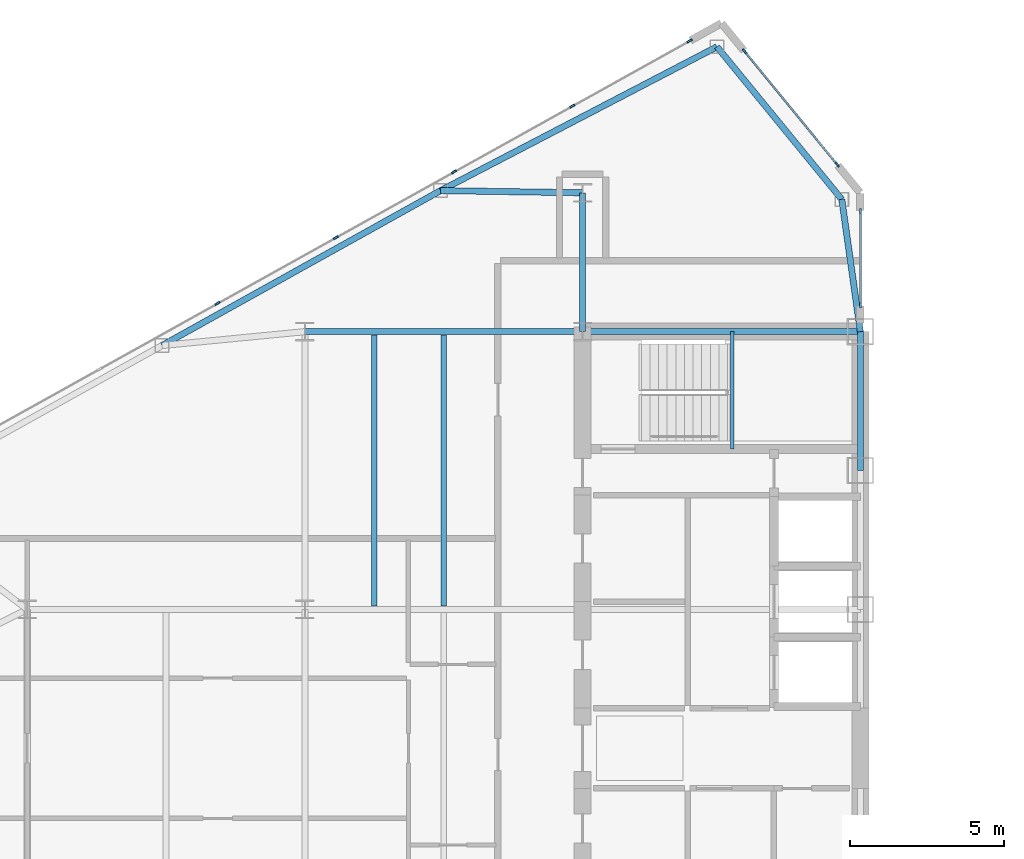
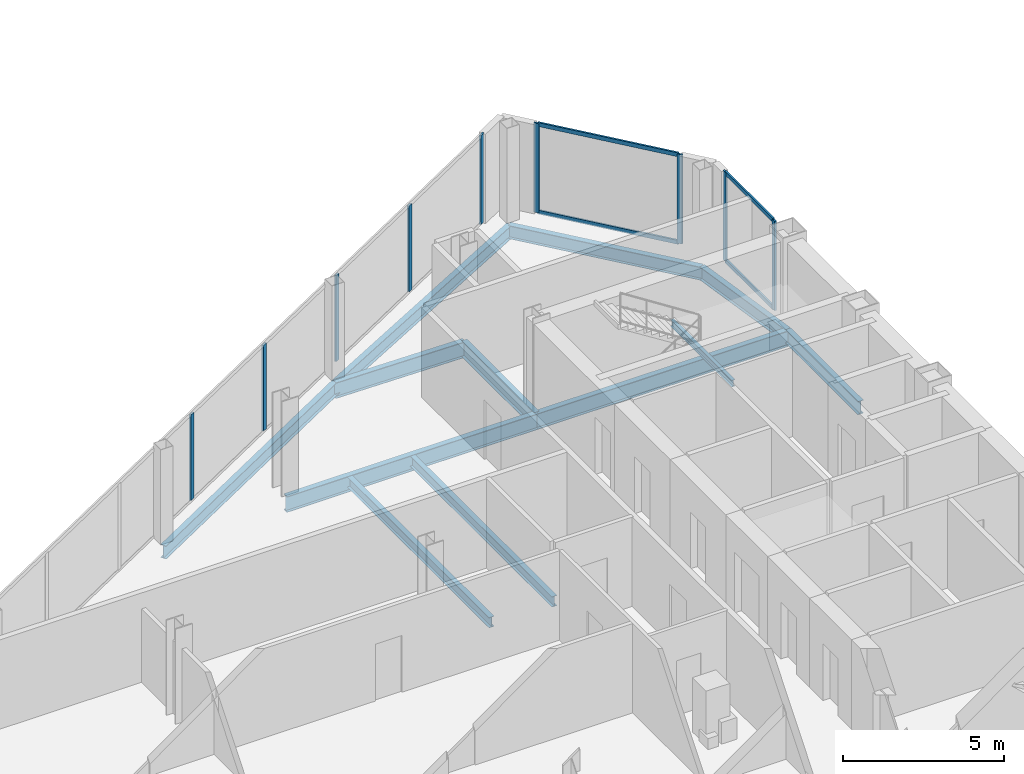
# One storey, part 10 of 26: 13 members, 12 beams, 3 elements without a shape of their own.
"""IFC4 building model written with IfcOpenShell, lengths in metres."""

import ifcopenshell
import ifcopenshell.guid

model = None  # the IFC model being written
_history = None  # IfcOwnerHistory: only IFC2X3 demands one
_inside = {}  # id of a spatial element -> (the spatial element, [elements in it])
_under = {}  # id of a project, library or spatial element -> (it, [spatial elements below it])
_declared = {}  # id of a project -> (the project, [libraries it declares])
_typed = {}  # id of a type object -> (the type object, [elements of that type])
_made_of = {}  # id of a material, layer set ... -> (it, [elements and type objects made of it])


def new_model(schema):
    """Start an empty IFC model of exactly this schema.

    Asked for "IFC4X3", IfcOpenShell would pick the latest addendum, in which some entities
    have other attributes; the version numbers below select the first issue.
    IFC2X3 requires an IfcOwnerHistory on every rooted entity: one is made here for all.
    """
    global model, _history
    if schema == "IFC4X3":
        model = ifcopenshell.file(schema_version=(4, 3, 0, 0))
    else:
        model = ifcopenshell.file(schema=schema)
    _inside.clear()
    _under.clear()
    _declared.clear()
    _typed.clear()
    _made_of.clear()
    _history = None
    if model.schema == "IFC2X3":
        org = make("IfcOrganization", Name="unknown")
        user = make(
            "IfcPersonAndOrganization",
            ThePerson=make("IfcPerson", FamilyName="unknown"),
            TheOrganization=org,
        )
        app = make(
            "IfcApplication",
            ApplicationDeveloper=org,
            Version="unknown",
            ApplicationFullName="unknown",
            ApplicationIdentifier="unknown",
        )
        _history = make(
            "IfcOwnerHistory",
            OwningUser=user,
            OwningApplication=app,
            ChangeAction="ADDED",
            CreationDate=0,
        )
    return model


def make(cls, **values):
    """One entity of the class cls with the attributes given. An attribute that is None is left unset."""
    return model.create_entity(
        cls, **{name: value for name, value in values.items() if value is not None}
    )


def rooted(cls, **values):
    """An entity with a GlobalId (a new one), such as an element, a storey or a relation."""
    return make(cls, GlobalId=ifcopenshell.guid.new(), OwnerHistory=_history, **values)


def si_unit(unit_type, name, prefix=None):
    """IfcSIUnit, for example si_unit("LENGTHUNIT", "METRE", prefix="MILLI")."""
    return make("IfcSIUnit", UnitType=unit_type, Prefix=prefix, Name=name)


def assignment(units):
    """IfcUnitAssignment: the units of a project."""
    return None if units is None else make("IfcUnitAssignment", Units=units)


def point(xyz):
    """IfcCartesianPoint."""
    return None if xyz is None else make("IfcCartesianPoint", Coordinates=xyz)


def direction(xyz):
    """IfcDirection."""
    return None if xyz is None else make("IfcDirection", DirectionRatios=xyz)


def frame(location, z_axis=None, x_axis=None):
    """IfcAxis2Placement3D, a coordinate frame: its origin and axes. An axis left out is left unset."""
    return make(
        "IfcAxis2Placement3D",
        Location=point(location),
        Axis=direction(z_axis),
        RefDirection=direction(x_axis),
    )


def frame_2d(location, x_axis=None):
    """IfcAxis2Placement2D, a coordinate frame in the plane: its origin and x axis."""
    return make(
        "IfcAxis2Placement2D", Location=point(location), RefDirection=direction(x_axis)
    )


def origin():
    """The frame at (0, 0, 0) with its axes left unset."""
    return frame((0.0, 0.0, 0.0))


def origin_2d():
    """The frame at (0, 0) in the plane with its x axis left unset."""
    return frame_2d((0.0, 0.0))


def place(relative_to, where):
    """IfcLocalPlacement: puts the frame where relative to a parent placement (None: the world)."""
    return make(
        "IfcLocalPlacement", PlacementRelTo=relative_to, RelativePlacement=where
    )


def context(
    kind, dimensions, precision=None, world=None, true_north=None, identifier=None
):
    """IfcGeometricRepresentationContext, for example the 3D "Model" context."""
    return make(
        "IfcGeometricRepresentationContext",
        ContextIdentifier=identifier,
        ContextType=kind,
        CoordinateSpaceDimension=dimensions,
        Precision=precision,
        WorldCoordinateSystem=world,
        TrueNorth=true_north,
    )


def subcontext(parent, identifier, kind, view, scale=None):
    """IfcGeometricRepresentationSubContext, for example "Body" below "Model"."""
    return make(
        "IfcGeometricRepresentationSubContext",
        ContextIdentifier=identifier,
        ContextType=kind,
        ParentContext=parent,
        TargetScale=scale,
        TargetView=view,
    )


def project(units=None, contexts=None):
    """IfcProject with its units and contexts."""
    return rooted(
        "IfcProject",
        Name="project",
        RepresentationContexts=contexts,
        UnitsInContext=assignment(units),
    )


def spatial(cls, under=None, at=None, **own):
    """A site, building, storey or space (cls), placed at a placement, below another one or the project."""
    s = rooted(cls, ObjectPlacement=at, **own)
    if under is not None:
        _under.setdefault(under.id(), (under, []))[1].append(s)
    return s


def profile(cls, at=None, kind="AREA", **sizes):
    """A parametric profile (cls). Its sizes go by their IFC names, for example OverallWidth=200.0."""
    return make(cls, ProfileType=kind, Position=at, **sizes)


def rectangle(**sizes):
    """IfcRectangleProfileDef."""
    return profile("IfcRectangleProfileDef", **sizes)


def i_section(**sizes):
    """IfcIShapeProfileDef."""
    return profile("IfcIShapeProfileDef", **sizes)


def extrude(swept, where, along, depth):
    """IfcExtrudedAreaSolid: the profile swept, set in the frame where, extruded along a direction by depth."""
    return make(
        "IfcExtrudedAreaSolid",
        SweptArea=swept,
        Position=where,
        ExtrudedDirection=direction(along),
        Depth=depth,
    )


def shape(context_of_items, identifier, shape_type, items):
    """IfcShapeRepresentation: the items that make up one representation, for example the "Body"."""
    return make(
        "IfcShapeRepresentation",
        ContextOfItems=context_of_items,
        RepresentationIdentifier=identifier,
        RepresentationType=shape_type,
        Items=items,
    )


def source(mapping_origin, context_of_items, identifier, shape_type, items):
    """IfcRepresentationMap: a shape defined once, which mapped items show again and again."""
    return make(
        "IfcRepresentationMap",
        MappingOrigin=mapping_origin,
        MappedRepresentation=shape(context_of_items, identifier, shape_type, items),
    )


def transform(
    local_origin,
    x_axis=None,
    y_axis=None,
    z_axis=None,
    scale=None,
    scale2=None,
    scale3=None,
    uniform=True,
):
    """IfcCartesianTransformationOperator3D, or its non-uniform kind. x_axis, y_axis, z_axis: its Axis1, 2, 3."""
    if uniform:
        return make(
            "IfcCartesianTransformationOperator3D",
            Axis1=direction(x_axis),
            Axis2=direction(y_axis),
            LocalOrigin=point(local_origin),
            Scale=scale,
            Axis3=direction(z_axis),
        )
    return make(
        "IfcCartesianTransformationOperator3DnonUniform",
        Axis1=direction(x_axis),
        Axis2=direction(y_axis),
        LocalOrigin=point(local_origin),
        Scale=scale,
        Axis3=direction(z_axis),
        Scale2=scale2,
        Scale3=scale3,
    )


def mapped(mapping_source, mapping_target):
    """IfcMappedItem: shows the shape of a source again, moved by a transform."""
    return make(
        "IfcMappedItem", MappingSource=mapping_source, MappingTarget=mapping_target
    )


def material(Name=None, Category=None):
    """IfcMaterial."""
    return make("IfcMaterial", Name=Name, Category=Category)


def layer(
    of_material, thickness, ventilated=None, Name=None, Category=None, Priority=None
):
    """IfcMaterialLayer: one layer of a wall or slab, of a material (None: an air gap)."""
    return make(
        "IfcMaterialLayer",
        Material=of_material,
        LayerThickness=thickness,
        IsVentilated=ventilated,
        Name=Name,
        Category=Category,
        Priority=Priority,
    )


def layer_set(layers, Name=None):
    """IfcMaterialLayerSet."""
    return make("IfcMaterialLayerSet", MaterialLayers=layers, LayerSetName=Name)


def material_profile(
    of_material, cross_section, Name=None, Category=None, Priority=None
):
    """IfcMaterialProfile: a cross section and its material."""
    return make(
        "IfcMaterialProfile",
        Name=Name,
        Material=of_material,
        Profile=cross_section,
        Priority=Priority,
        Category=Category,
    )


def profile_set(profiles, Name=None, composite=None):
    """IfcMaterialProfileSet."""
    return make(
        "IfcMaterialProfileSet",
        Name=Name,
        MaterialProfiles=profiles,
        CompositeProfile=composite,
    )


def made_of(thing, what):
    """Note that an element or type object is made of a material, layer set ...; save() writes the relation."""
    if what is not None:
        _made_of.setdefault(what.id(), (what, []))[1].append(thing)
    return thing


def type_object(cls, material=None, **own):
    """A type object (cls), such as IfcWallType, which elements share."""
    return made_of(rooted(cls, **own), material)


def type_shapes(of_type, sources):
    """Give a type object the sources (RepresentationMaps) that its elements show as mapped items."""
    of_type.RepresentationMaps = sources


def element(
    cls,
    number,
    at=None,
    inside=None,
    cuts=None,
    type_object=None,
    material=None,
    context=None,
    identifier="Body",
    shape_type=None,
    held_by="IfcProductDefinitionShape",
    body=None,
    shapes=None,
    **own,
):
    """One element of the class cls, such as IfcWall. Its Tag is "e" and its number.

    at: its placement. inside: the storey or other place that contains it. cuts: it is an
    opening in that element (IfcRelVoidsElement). A single representation is given by context,
    identifier, shape_type and body (its items); several are given by shapes. held_by: the class
    of the entity that holds the representations. save() writes the other relations.
    """
    e = rooted(cls, Tag="e%d" % number, ObjectPlacement=at, **own)
    if body is not None:
        shapes = [shape(context, identifier, shape_type, body)]
    if shapes is not None:
        e.Representation = make(held_by, Representations=shapes)
    if inside is not None:
        _inside.setdefault(inside.id(), (inside, []))[1].append(e)
    if cuts is not None:
        rooted(
            "IfcRelVoidsElement", RelatingBuildingElement=cuts, RelatedOpeningElement=e
        )
    if type_object is not None:
        _typed.setdefault(type_object.id(), (type_object, []))[1].append(e)
    return made_of(e, material)


def aggregate(whole, parts):
    """IfcRelAggregates: a whole, such as a stair, and the parts it consists of."""
    return rooted("IfcRelAggregates", RelatingObject=whole, RelatedObjects=parts)


def save(model, path):
    """Write the relations noted so far, then the file.

    IfcRelAggregates (storeys below a building ...), IfcRelContainedInSpatialStructure (elements
    in a storey), IfcRelDefinesByType, IfcRelAssociatesMaterial and IfcRelDeclares: one each for
    every whole, place, type object, material and project.
    """
    for whole, parts in _under.values():
        aggregate(whole, parts)
    for where, things in _inside.values():
        rooted(
            "IfcRelContainedInSpatialStructure",
            RelatedElements=things,
            RelatingStructure=where,
        )
    for kind, things in _typed.values():
        rooted("IfcRelDefinesByType", RelatedObjects=things, RelatingType=kind)
    for what, things in _made_of.values():
        rooted("IfcRelAssociatesMaterial", RelatedObjects=things, RelatingMaterial=what)
    for by, libraries in _declared.values():
        rooted("IfcRelDeclares", RelatingContext=by, RelatedDefinitions=libraries)
    model.write(path)


model = new_model("IFC4")

# Units and contexts
model_context = context("Model", 3, precision=1e-05, world=origin(), true_north=direction((0.0, 1.0)))
body_context = subcontext(model_context, "Body", "Model", "MODEL_VIEW")
ifc_project = project(units=[si_unit("LENGTHUNIT", "METRE"), si_unit("AREAUNIT", "SQUARE_METRE"), si_unit("VOLUMEUNIT", "CUBIC_METRE"), si_unit("PLANEANGLEUNIT", "RADIAN"), si_unit("MASSUNIT", "GRAM", prefix="KILO")], contexts=[model_context])

# Site, building, storey
site_placement = place(None, origin())
site = spatial("IfcSite", under=ifc_project, at=site_placement, CompositionType="ELEMENT")
building_placement = place(site_placement, origin())
building = spatial("IfcBuilding", under=site, at=building_placement, Name="Seokmaru Belvedere", CompositionType="ELEMENT")
storey_placement = place(building_placement, frame((0.0, 0.0, 192.300048828125)))
storey = spatial("IfcBuildingStorey", under=building, at=storey_placement, Name="L51", CompositionType="ELEMENT", Elevation=192.300048828125)

# Beams
ifc_material_1 = material(Name="Steel SM355 (355 MPa)", Category="steel")
ifc_material_profile_1 = material_profile(ifc_material_1, i_section(OverallWidth=0.199951171875, OverallDepth=0.5, WebThickness=0.010009765625, FlangeThickness=0.01611328125, at=origin_2d()), Name="H-500x200x10x16")
ifc_profile_set_1 = profile_set([ifc_material_profile_1], Name="Steel SM355 (355 MPa)")
beam_type_1 = type_object("IfcBeamType", Name="Perimeter Spandrel Beam H-500", PredefinedType="SPANDREL", material=ifc_profile_set_1)
shared_shape_1 = source(origin(), body_context, "Body", "SweptSolid", [
    extrude(i_section(OverallWidth=0.199951171875, OverallDepth=0.5, WebThickness=0.010009765625, FlangeThickness=0.01611328125, at=origin_2d()), origin(), (0.0, 0.0, 1.0), 4.5),
])
beam_1_placement = place(storey_placement, frame((-27.5, 9.0, -0.469970703125), z_axis=(0.0, 1.0, 0.0), x_axis=(-1.0, 0.0, 0.0)))
element("IfcBeam", 1, at=beam_1_placement, inside=storey, type_object=beam_type_1, Name="L51 W Portal Spine Spandrel 5", PredefinedType="SPANDREL", context=body_context, shape_type="MappedRepresentation", body=[
    mapped(shared_shape_1, transform((0.0, 0.0, 0.0), scale=1.0)),
])
ifc_material_profile_2 = material_profile(ifc_material_1, i_section(OverallWidth=0.199951171875, OverallDepth=0.60009765625, WebThickness=0.010986328125, FlangeThickness=0.01708984375, at=origin_2d()), Name="H-600x200x11x17")
ifc_profile_set_2 = profile_set([ifc_material_profile_2], Name="Steel SM355 (355 MPa)")
beam_type_2 = type_object("IfcBeamType", Name="Primary Floor Girder H-600", PredefinedType="BEAM", material=ifc_profile_set_2)
shared_shape_2 = source(origin(), body_context, "Body", "SweptSolid", [
    extrude(i_section(OverallWidth=0.199951171875, OverallDepth=0.60009765625, WebThickness=0.010986328125, FlangeThickness=0.01708984375, at=origin_2d()), origin(), (0.0, 0.0, 1.0), 9.0),
])
for number, where, z_axis, x_axis, name in (
    (2, (-36.5, 13.5, -0.52001953125), (1.0, 0.0, 0.0), (0.0, 1.0, 0.0), "L51 W Core Tie Girder 4"),
    (3, (-45.5, 13.5, -0.52001953125), (1.0, 0.0, 0.0), (0.0, 1.0, 0.0), "L51 W Wing Primary Girder 4"),
):
    element("IfcBeam", number, at=place(storey_placement, frame(where, z_axis=z_axis, x_axis=x_axis)), inside=storey, type_object=beam_type_2, Name=name, PredefinedType="BEAM", context=body_context, shape_type="MappedRepresentation", body=[
        mapped(shared_shape_2, transform((0.0, 0.0, 0.0), scale=1.0)),
    ])
ifc_material_profile_3 = material_profile(ifc_material_1, i_section(OverallWidth=0.18505859375, OverallDepth=0.389892578125, WebThickness=0.008056640625, FlangeThickness=0.011962890625, at=origin_2d()), Name="H-390x185x8x12")
ifc_profile_set_3 = profile_set([ifc_material_profile_3], Name="Steel SM355 (355 MPa)")
beam_type_3 = type_object("IfcBeamType", Name="Secondary Floor Joist H-350", PredefinedType="JOIST", material=ifc_profile_set_3)
shared_shape_3 = source(origin(), body_context, "Body", "SweptSolid", [
    extrude(i_section(OverallWidth=0.18505859375, OverallDepth=0.389892578125, WebThickness=0.008056640625, FlangeThickness=0.011962890625, at=origin_2d()), origin(), (0.0, 0.0, 1.0), 8.7900390625),
])
type_shapes(beam_type_3, [shared_shape_3])
for number, where, z_axis, x_axis, name in (
    (4, (-43.25, 4.60498046875, -0.4150390625), (0.0, 1.0, 0.0), (-1.0, 0.0, 0.0), "L51 W Wing Inner Secondary Joist 2"),
    (5, (-41.0, 4.60498046875, -0.4150390625), (0.0, 1.0, 0.0), (-1.0, 0.0, 0.0), "L51 W Secondary Floor Joist 3"),
):
    element("IfcBeam", number, at=place(storey_placement, frame(where, z_axis=z_axis, x_axis=x_axis)), inside=storey, type_object=beam_type_3, Name=name, PredefinedType="JOIST", context=body_context, shape_type="MappedRepresentation", body=[
        mapped(shared_shape_3, transform((0.0, 0.0, 0.0), scale=1.0)),
    ])
shared_shape_4 = source(origin(), body_context, "Body", "SweptSolid", [
    extrude(i_section(OverallWidth=0.199951171875, OverallDepth=0.60009765625, WebThickness=0.010986328125, FlangeThickness=0.01708984375, at=origin_2d()), origin(), (0.0, 0.0, 1.0), 4.5),
])
beam_2_placement = place(storey_placement, frame((-36.5, 13.5, -0.52001953125), z_axis=(0.0, 1.0, 0.0), x_axis=(-1.0, 0.0, 0.0)))
element("IfcBeam", 6, at=beam_2_placement, inside=storey, type_object=beam_type_2, Name="L51 W Core Shoulder Girder N", PredefinedType="BEAM", context=body_context, shape_type="MappedRepresentation", body=[
    mapped(shared_shape_4, transform((0.0, 0.0, 0.0), scale=1.0)),
])
shared_shape_5 = source(origin(), body_context, "Body", "SweptSolid", [
    extrude(i_section(OverallWidth=0.199951171875, OverallDepth=0.5, WebThickness=0.010009765625, FlangeThickness=0.01611328125, at=origin_2d()), origin(), (0.0, 0.0, 1.0), 10.09716796875),
])
beam_3_placement = place(storey_placement, frame((-32.146728515625, 22.731689453125, -0.469970703125), z_axis=(-0.887085728914, -0.461604711369, 0.0), x_axis=(0.461604711369, -0.887085728914, 0.0)))
element("IfcBeam", 7, at=beam_3_placement, inside=storey, type_object=beam_type_1, Name="L51 W Faceted Flank Spandrel N-1", PredefinedType="SPANDREL", context=body_context, shape_type="MappedRepresentation", body=[
    mapped(shared_shape_5, transform((0.0, 0.0, 0.0), scale=1.0)),
])
shared_shape_6 = source(origin(), body_context, "Body", "SweptSolid", [
    extrude(i_section(OverallWidth=0.199951171875, OverallDepth=0.5, WebThickness=0.010009765625, FlangeThickness=0.01611328125, at=origin_2d()), origin(), (0.0, 0.0, 1.0), 10.327392578125),
])
beam_4_placement = place(storey_placement, frame((-41.103759765625, 18.07080078125, -0.469970703125), z_axis=(-0.873924120588, -0.486062374037, 0.0), x_axis=(0.486062374037, -0.873924120588, 0.0)))
element("IfcBeam", 8, at=beam_4_placement, inside=storey, type_object=beam_type_1, Name="L51 W Faceted Flank Spandrel N-2", PredefinedType="SPANDREL", context=body_context, shape_type="MappedRepresentation", body=[
    mapped(shared_shape_6, transform((0.0, 0.0, 0.0), scale=1.0)),
])
shared_shape_7 = source(origin(), body_context, "Body", "SweptSolid", [
    extrude(i_section(OverallWidth=0.199951171875, OverallDepth=0.5, WebThickness=0.010009765625, FlangeThickness=0.01611328125, at=origin_2d()), origin(), (0.0, 0.0, 1.0), 6.390380859375),
])
beam_5_placement = place(storey_placement, frame((-32.146728515625, 22.731689453125, -0.469970703125), z_axis=(0.63324403161, -0.7739521926, 0.0), x_axis=(0.7739521926, 0.63324403161, 0.0)))
element("IfcBeam", 9, at=beam_5_placement, inside=storey, type_object=beam_type_1, Name="L51 W Shoulder Chamfer Spandrel N", PredefinedType="SPANDREL", context=body_context, shape_type="MappedRepresentation", body=[
    mapped(shared_shape_7, transform((0.0, 0.0, 0.0), scale=1.0)),
])
shared_shape_8 = source(origin(), body_context, "Body", "SweptSolid", [
    extrude(i_section(OverallWidth=0.199951171875, OverallDepth=0.5, WebThickness=0.010009765625, FlangeThickness=0.01611328125, at=origin_2d()), origin(), (0.0, 0.0, 1.0), 4.32763671875),
])
type_shapes(beam_type_1, [shared_shape_1, shared_shape_5, shared_shape_6, shared_shape_7, shared_shape_8])
beam_6_placement = place(storey_placement, frame((-28.10009765625, 17.785888671875, -0.469970703125), z_axis=(0.138664443237, -0.990339422714, 0.0), x_axis=(0.990339422714, 0.138664443237, 0.0)))
element("IfcBeam", 10, at=beam_6_placement, inside=storey, type_object=beam_type_1, Name="L51 W Shoulder Spine Spandrel N", PredefinedType="SPANDREL", context=body_context, shape_type="MappedRepresentation", body=[
    mapped(shared_shape_8, transform((0.0, 0.0, 0.0), scale=1.0)),
])
shared_shape_9 = source(origin(), body_context, "Body", "SweptSolid", [
    extrude(i_section(OverallWidth=0.199951171875, OverallDepth=0.60009765625, WebThickness=0.010986328125, FlangeThickness=0.01708984375, at=origin_2d()), origin(), (0.0, 0.0, 1.0), 4.604248046875),
])
type_shapes(beam_type_2, [shared_shape_2, shared_shape_4, shared_shape_9])
beam_7_placement = place(storey_placement, frame((-41.103759765625, 18.07080078125, -0.52001953125), z_axis=(0.999881765622, -0.01537708607, 0.0), x_axis=(0.01537708607, 0.999881765622, 0.0)))
element("IfcBeam", 11, at=beam_7_placement, inside=storey, type_object=beam_type_2, Name="L51 W Flank Radial Floor Girder N-1", PredefinedType="BEAM", context=body_context, shape_type="MappedRepresentation", body=[
    mapped(shared_shape_9, transform((0.0, 0.0, 0.0), scale=1.0)),
])

# Curtain wall, members
ifc_material_2 = material(Name="Bronze Triple Insulating Glass", Category="glass")
ifc_layer = layer(ifc_material_2, 0.179931640625)
ifc_layer_set = layer_set([ifc_layer], Name="Bronze Triple Insulating Glass")
curtain_wall_type = type_object("IfcCurtainWallType", Name="High-Rise Wind-Corner Curtain Wall System CW-5", PredefinedType="NOTDEFINED", material=ifc_layer_set)
curtain_wall_1_placement = place(storey_placement, origin())
curtain_wall_1 = element("IfcCurtainWall", 12, at=curtain_wall_1_placement, inside=storey, type_object=curtain_wall_type, Name="L51 Curtain Wall WSP_2", PredefinedType="NOTDEFINED")
ifc_material_3 = material(Name="Anodised Bronze Aluminium", Category="aluminium")
ifc_material_profile_4 = material_profile(ifc_material_3, rectangle(XDim=0.06494140625, YDim=0.14990234375, at=origin_2d()), Name="CW-T-65x150")
ifc_profile_set_4 = profile_set([ifc_material_profile_4], Name="Anodised Bronze Aluminium")
member_type_1 = type_object("IfcMemberType", Name="Bronze Unitised Transom 65x150", PredefinedType="USERDEFINED", material=ifc_profile_set_4)
shared_shape_10 = source(origin(), body_context, "Body", "SweptSolid", [
    extrude(rectangle(XDim=0.06494140625, YDim=0.14990234375, at=origin_2d()), origin(), (0.0, 0.0, 1.0), 2.969970703125),
])
member_1_placement = place(storey_placement, frame((-27.5, 14.39501953125, 0.032470703125), z_axis=(0.0, 1.0, 0.0), x_axis=(-1.0, 0.0, 0.0)))
member_1 = element("IfcMember", 13, at=member_1_placement, type_object=member_type_1, Name="CW:L51:WSP_2 Continuous Transom 1", ObjectType="TRANSOM", PredefinedType="USERDEFINED", context=body_context, shape_type="MappedRepresentation", body=[
    mapped(shared_shape_10, transform((0.0, 0.0, 0.0), scale=1.0)),
])
member_2_placement = place(storey_placement, frame((-27.5, 14.39501953125, 3.347412109375), z_axis=(0.0, 1.0, 0.0), x_axis=(-1.0, 0.0, 0.0)))
member_2 = element("IfcMember", 14, at=member_2_placement, type_object=member_type_1, Name="CW:L51:WSP_2 Continuous Transom 2", ObjectType="TRANSOM", PredefinedType="USERDEFINED", context=body_context, shape_type="MappedRepresentation", body=[
    mapped(shared_shape_10, transform((0.0, 0.0, 0.0), scale=1.0)),
])

curtain_wall_2_placement = place(storey_placement, origin())
curtain_wall_2 = element("IfcCurtainWall", 15, at=curtain_wall_2_placement, inside=storey, type_object=curtain_wall_type, Name="L51 Curtain Wall WF2", PredefinedType="NOTDEFINED")
shared_shape_11 = source(origin(), body_context, "Body", "SweptSolid", [
    extrude(rectangle(XDim=0.06494140625, YDim=0.14990234375, at=origin_2d()), origin(), (0.0, 0.0, 1.0), 4.67626953125),
])
type_shapes(member_type_1, [shared_shape_10, shared_shape_11])
member_3_placement = place(storey_placement, frame((-28.269287109375, 18.9404296875, 0.032470703125), z_axis=(-0.633277591216, 0.773924733074, 0.0), x_axis=(-0.773924733074, -0.633277591216, 0.0)))
member_3 = element("IfcMember", 16, at=member_3_placement, type_object=member_type_1, Name="CW:L51:WF2 Continuous Transom 1", ObjectType="TRANSOM", PredefinedType="USERDEFINED", context=body_context, shape_type="MappedRepresentation", body=[
    mapped(shared_shape_11, transform((0.0, 0.0, 0.0), scale=1.0)),
])
member_4_placement = place(storey_placement, frame((-28.269287109375, 18.9404296875, 3.347412109375), z_axis=(-0.633277591216, 0.773924733074, 0.0), x_axis=(-0.773924733074, -0.633277591216, 0.0)))
member_4 = element("IfcMember", 17, at=member_4_placement, type_object=member_type_1, Name="CW:L51:WF2 Continuous Transom 2", ObjectType="TRANSOM", PredefinedType="USERDEFINED", context=body_context, shape_type="MappedRepresentation", body=[
    mapped(shared_shape_11, transform((0.0, 0.0, 0.0), scale=1.0)),
])

# Member
ifc_material_profile_5 = material_profile(ifc_material_3, rectangle(XDim=0.06494140625, YDim=0.179931640625, at=origin_2d()), Name="CW-M-65x180")
ifc_profile_set_5 = profile_set([ifc_material_profile_5], Name="Anodised Bronze Aluminium")
member_type_2 = type_object("IfcMemberType", Name="Bronze Unitised Mullion 65x180", PredefinedType="MULLION", material=ifc_profile_set_5)
shared_shape_12 = source(origin(), body_context, "Body", "SweptSolid", [
    extrude(rectangle(XDim=0.06494140625, YDim=0.179931640625, at=origin_2d()), origin(), (0.0, 0.0, 1.0), 3.3798828125),
])
member_5_placement = place(storey_placement, frame((-27.5, 14.362548828125, 0.0), z_axis=(0.0, 0.0, 1.0), x_axis=(-1.0, 0.0, 0.0)))
member_5 = element("IfcMember", 18, at=member_5_placement, type_object=member_type_2, Name="CW:L51:WSP_2 Mullion 1", PredefinedType="MULLION", context=body_context, shape_type="MappedRepresentation", body=[
    mapped(shared_shape_12, transform((0.0, 0.0, 0.0), scale=1.0)),
])

member_6_placement = place(storey_placement, frame((-27.5, 17.3974609375, 0.0), z_axis=(0.0, 0.0, 1.0), x_axis=(-1.0, 0.0, 0.0)))
member_6 = element("IfcMember", 19, at=member_6_placement, type_object=member_type_2, Name="CW:L51:WSP_2 Mullion 2", PredefinedType="MULLION", context=body_context, shape_type="MappedRepresentation", body=[
    mapped(shared_shape_12, transform((0.0, 0.0, 0.0), scale=1.0)),
])

aggregate(curtain_wall_1, [member_5, member_6, member_1, member_2])

member_7_placement = place(storey_placement, frame((-28.248779296875, 18.915283203125, 0.0), z_axis=(0.0, 0.0, 1.0), x_axis=(-0.773944112379, -0.633253907144, 0.0)))
member_7 = element("IfcMember", 20, at=member_7_placement, type_object=member_type_2, Name="CW:L51:WF2 Mullion 1", PredefinedType="MULLION", context=body_context, shape_type="MappedRepresentation", body=[
    mapped(shared_shape_12, transform((0.0, 0.0, 0.0), scale=1.0)),
])

member_8_placement = place(storey_placement, frame((-31.251220703125, 22.584716796875, 0.0), z_axis=(0.0, 0.0, 1.0), x_axis=(-0.773944112379, -0.633253907144, 0.0)))
member_8 = element("IfcMember", 21, at=member_8_placement, type_object=member_type_2, Name="CW:L51:WF2 Mullion 2", PredefinedType="MULLION", context=body_context, shape_type="MappedRepresentation", body=[
    mapped(shared_shape_12, transform((0.0, 0.0, 0.0), scale=1.0)),
])

aggregate(curtain_wall_2, [member_7, member_8, member_3, member_4])

# Curtain wall, members
curtain_wall_3_placement = place(storey_placement, origin())
curtain_wall_3 = element("IfcCurtainWall", 22, at=curtain_wall_3_placement, inside=storey, type_object=curtain_wall_type, Name="L51 Curtain Wall WF3", PredefinedType="NOTDEFINED")
member_9_placement = place(storey_placement, frame((-33.033447265625, 22.92529296875, 0.0), z_axis=(0.0, 0.0, 1.0), x_axis=(0.486047125147, -0.873932601598, 0.0)))
member_9 = element("IfcMember", 23, at=member_9_placement, type_object=member_type_2, Name="CW:L51:WF3 Mullion 1", PredefinedType="MULLION", context=body_context, shape_type="MappedRepresentation", body=[
    mapped(shared_shape_12, transform((0.0, 0.0, 0.0), scale=1.0)),
])
shared_shape_13 = source(origin(), body_context, "Body", "SweptSolid", [
    extrude(rectangle(XDim=0.06494140625, YDim=0.179931640625, at=origin_2d()), origin(), (0.0, 0.0, 1.0), 3.25),
])
type_shapes(member_type_2, [shared_shape_12, shared_shape_13])
member_10_placement = place(storey_placement, frame((-36.837158203125, 20.809814453125, 0.06494140625), z_axis=(0.0, 0.0, 1.0), x_axis=(0.486047125147, -0.873932601598, 0.0)))
member_10 = element("IfcMember", 24, at=member_10_placement, type_object=member_type_2, Name="CW:L51:WF3 Mullion 2", PredefinedType="MULLION", context=body_context, shape_type="MappedRepresentation", body=[
    mapped(shared_shape_13, transform((0.0, 0.0, 0.0), scale=1.0)),
])
member_11_placement = place(storey_placement, frame((-40.66943359375, 18.67822265625, 0.06494140625), z_axis=(0.0, 0.0, 1.0), x_axis=(0.486047125147, -0.873932601598, 0.0)))
member_11 = element("IfcMember", 25, at=member_11_placement, type_object=member_type_2, Name="CW:L51:WF3 Mullion 3", PredefinedType="MULLION", context=body_context, shape_type="MappedRepresentation", body=[
    mapped(shared_shape_13, transform((0.0, 0.0, 0.0), scale=1.0)),
])
member_12_placement = place(storey_placement, frame((-44.501708984375, 16.547119140625, 0.06494140625), z_axis=(0.0, 0.0, 1.0), x_axis=(0.486047125147, -0.873932601598, 0.0)))
member_12 = element("IfcMember", 26, at=member_12_placement, type_object=member_type_2, Name="CW:L51:WF3 Mullion 4", PredefinedType="MULLION", context=body_context, shape_type="MappedRepresentation", body=[
    mapped(shared_shape_13, transform((0.0, 0.0, 0.0), scale=1.0)),
])
member_13_placement = place(storey_placement, frame((-48.333984375, 14.415771484375, 0.06494140625), z_axis=(0.0, 0.0, 1.0), x_axis=(0.486047125147, -0.873932601598, 0.0)))
member_13 = element("IfcMember", 27, at=member_13_placement, type_object=member_type_2, Name="CW:L51:WF3 Mullion 5", PredefinedType="MULLION", context=body_context, shape_type="MappedRepresentation", body=[
    mapped(shared_shape_13, transform((0.0, 0.0, 0.0), scale=1.0)),
])
aggregate(curtain_wall_3, [member_9, member_10, member_11, member_12, member_13])

# Beam
ifc_material_profile_6 = material_profile(ifc_material_1, i_section(OverallWidth=0.125, OverallDepth=0.25, WebThickness=0.006103515625, FlangeThickness=0.009033203125, at=origin_2d()), Name="H-250x125x6x9")
ifc_profile_set_6 = profile_set([ifc_material_profile_6], Name="Steel SM355 (355 MPa)")
beam_type_4 = type_object("IfcBeamType", Name="Stair Mid-Landing Support Beam H-250", PredefinedType="JOIST", material=ifc_profile_set_6)
shared_shape_14 = source(origin(), body_context, "Body", "SweptSolid", [
    extrude(i_section(OverallWidth=0.125, OverallDepth=0.25, WebThickness=0.006103515625, FlangeThickness=0.009033203125, at=origin_2d()), origin(), (0.0, 0.0, 1.0), 3.800048828125),
])
type_shapes(beam_type_4, [shared_shape_14])
beam_8_placement = place(storey_placement, frame((-31.64990234375, 9.699951171875, 1.474853515625), z_axis=(0.0, 1.0, 0.0), x_axis=(-1.0, 0.0, 0.0)))
element("IfcBeam", 28, at=beam_8_placement, inside=storey, type_object=beam_type_4, Name="L51 Stair ST-W2 Mid-Landing Support Beam 1", PredefinedType="JOIST", context=body_context, shape_type="MappedRepresentation", body=[
    mapped(shared_shape_14, transform((0.0, 0.0, 0.0), scale=1.0)),
])

save(model, "model.ifc")
